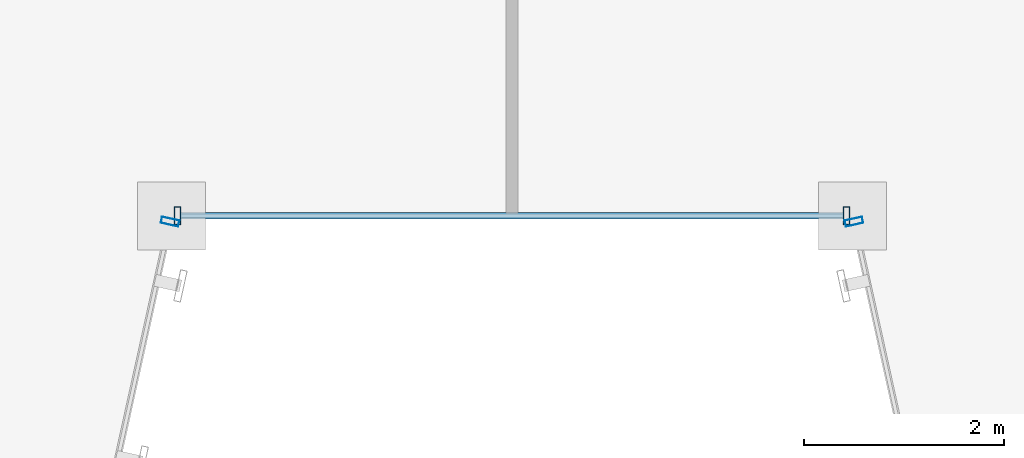
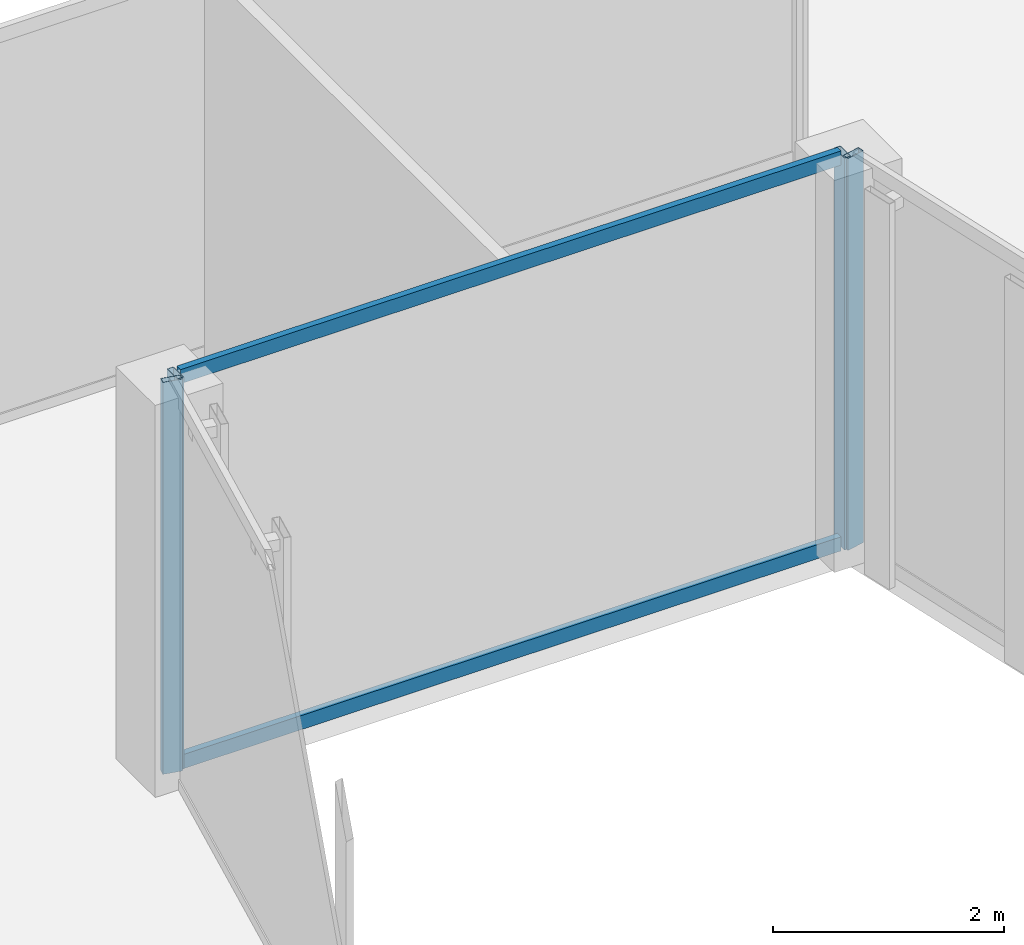
# One storey, part 9 of 47: 6 members, 3 elements without a shape of their own.
"""IFC4 building model written with IfcOpenShell, lengths in metres."""

from ifc_helpers import new_model, si_unit, direction, frame, origin, origin_2d, place, context, subcontext, project, spatial, hollow_rectangle, extrude, material, material_profile, profile_set, type_object, element, aggregate, save


model = new_model("IFC4")

# Units and contexts
model_context = context("Model", 3, precision=1e-05, world=origin(), true_north=direction((0.0, 1.0)))
body_context = subcontext(model_context, "Body", "Model", "MODEL_VIEW")
ifc_project = project(units=[si_unit("LENGTHUNIT", "METRE"), si_unit("AREAUNIT", "SQUARE_METRE"), si_unit("VOLUMEUNIT", "CUBIC_METRE"), si_unit("PLANEANGLEUNIT", "RADIAN"), si_unit("MASSUNIT", "GRAM", prefix="KILO")], contexts=[model_context])

# Site, building, storey
site_placement = place(None, origin())
site = spatial("IfcSite", under=ifc_project, at=site_placement, CompositionType="ELEMENT")
building_placement = place(site_placement, origin())
building = spatial("IfcBuilding", under=site, at=building_placement, Name="Saevonmaru Cultural Tower", CompositionType="ELEMENT")
storey_placement = place(building_placement, frame((0.0, 0.0, 56.0)))
storey = spatial("IfcBuildingStorey", under=building, at=storey_placement, Name="L11", CompositionType="ELEMENT", Elevation=56.0)

# Curtain wall, member
ifc_material = material(Name="Satin Bronze Anodised Aluminium", Category="aluminium")
curtain_wall_type = type_object("IfcCurtainWallType", Name="CW-TYP-A", PredefinedType="NOTDEFINED", material=ifc_material)
curtain_wall_1_placement = place(storey_placement, origin())
curtain_wall_1 = element("IfcCurtainWall", 1, at=curtain_wall_1_placement, inside=storey, type_object=curtain_wall_type, Name="L11 Unitised Curtain Wall E3", PredefinedType="NOTDEFINED")
ifc_material_profile_1 = material_profile(ifc_material, hollow_rectangle(XDim=0.06494140625, YDim=0.179931640625, WallThickness=0.00390625, at=origin_2d()), Name="ALU-MULL-180x65x4")
ifc_profile_set_1 = profile_set([ifc_material_profile_1], Name="Satin Bronze Anodised Aluminium")
member_type_1 = type_object("IfcMemberType", Name="ML-CW-180x65", PredefinedType="MULLION", material=ifc_profile_set_1)
member_1_placement = place(storey_placement, frame((26.587158203125, 15.54150390625, 0.0), z_axis=(0.0, 0.0, 1.0), x_axis=(0.215413319953, 0.976522965212, 0.0)))
member_1 = element("IfcMember", 2, at=member_1_placement, type_object=member_type_1, Name="CW-TW-L11-E3 mullion 2", PredefinedType="MULLION", context=body_context, shape_type="SweptSolid", body=[
    extrude(hollow_rectangle(XDim=0.06494140625, YDim=0.179931640625, WallThickness=0.00390625, at=origin_2d()), origin(), (0.0, 0.0, 1.0), 4.14990234375),
])
aggregate(curtain_wall_1, [member_1])

# Curtain wall, members
curtain_wall_2_placement = place(storey_placement, origin())
curtain_wall_2 = element("IfcCurtainWall", 3, at=curtain_wall_2_placement, inside=storey, type_object=curtain_wall_type, Name="L11 Unitised Curtain Wall E4", PredefinedType="NOTDEFINED")
member_2_placement = place(storey_placement, frame((26.659912109375, 15.60009765625, 0.0), z_axis=(0.0, 0.0, 1.0), x_axis=(1.0, 0.0, 0.0)))
member_2 = element("IfcMember", 4, at=member_2_placement, type_object=member_type_1, Name="CW-TW-L11-E4 mullion 1", PredefinedType="MULLION", context=body_context, shape_type="SweptSolid", body=[
    extrude(hollow_rectangle(XDim=0.06494140625, YDim=0.179931640625, WallThickness=0.00390625, at=origin_2d()), origin(), (0.0, 0.0, 1.0), 4.14990234375),
])
member_3_placement = place(storey_placement, frame((33.340087890625, 15.60009765625, 0.0), z_axis=(0.0, 0.0, 1.0), x_axis=(1.0, 0.0, 0.0)))
member_3 = element("IfcMember", 5, at=member_3_placement, type_object=member_type_1, Name="CW-TW-L11-E4 mullion 2", PredefinedType="MULLION", context=body_context, shape_type="SweptSolid", body=[
    extrude(hollow_rectangle(XDim=0.06494140625, YDim=0.179931640625, WallThickness=0.00390625, at=origin_2d()), origin(), (0.0, 0.0, 1.0), 4.14990234375),
])

# Curtain wall, member
curtain_wall_3_placement = place(storey_placement, origin())
curtain_wall_3 = element("IfcCurtainWall", 6, at=curtain_wall_3_placement, inside=storey, type_object=curtain_wall_type, Name="L11 Unitised Curtain Wall E5", PredefinedType="NOTDEFINED")
member_4_placement = place(storey_placement, frame((33.412841796875, 15.54150390625, 0.0), z_axis=(0.0, 0.0, 1.0), x_axis=(0.215413319953, -0.976522965212, 0.0)))
member_4 = element("IfcMember", 7, at=member_4_placement, type_object=member_type_1, Name="CW-TW-L11-E5 mullion 1", PredefinedType="MULLION", context=body_context, shape_type="SweptSolid", body=[
    extrude(hollow_rectangle(XDim=0.06494140625, YDim=0.179931640625, WallThickness=0.00390625, at=origin_2d()), origin(), (0.0, 0.0, 1.0), 4.14990234375),
])
aggregate(curtain_wall_3, [member_4])

# Member
ifc_material_profile_2 = material_profile(ifc_material, hollow_rectangle(XDim=0.06494140625, YDim=0.14990234375, WallThickness=0.00390625, at=origin_2d()), Name="ALU-TRAN-150x65x4")
ifc_profile_set_2 = profile_set([ifc_material_profile_2], Name="Satin Bronze Anodised Aluminium")
member_type_2 = type_object("IfcMemberType", Name="TR-CW-150x65", PredefinedType="USERDEFINED", material=ifc_profile_set_2)
member_5_placement = place(storey_placement, frame((26.6923828125, 15.60009765625, 0.032470703125), z_axis=(1.0, 0.0, 0.0), x_axis=(0.0, 1.0, 0.0)))
member_5 = element("IfcMember", 8, at=member_5_placement, type_object=member_type_2, Name="CW-TW-L11-E4 transom 1.1", ObjectType="TRANSOM", PredefinedType="USERDEFINED", context=body_context, shape_type="SweptSolid", body=[
    extrude(hollow_rectangle(XDim=0.06494140625, YDim=0.14990234375, WallThickness=0.00390625, at=origin_2d()), origin(), (0.0, 0.0, 1.0), 6.615234375),
])

member_6_placement = place(storey_placement, frame((26.6923828125, 15.60009765625, 4.117431640625), z_axis=(1.0, 0.0, 0.0), x_axis=(0.0, 1.0, 0.0)))
member_6 = element("IfcMember", 9, at=member_6_placement, type_object=member_type_2, Name="CW-TW-L11-E4 transom 1.2", ObjectType="TRANSOM", PredefinedType="USERDEFINED", context=body_context, shape_type="SweptSolid", body=[
    extrude(hollow_rectangle(XDim=0.06494140625, YDim=0.14990234375, WallThickness=0.00390625, at=origin_2d()), origin(), (0.0, 0.0, 1.0), 6.615234375),
])

aggregate(curtain_wall_2, [member_2, member_3, member_5, member_6])

save(model, "model.ifc")
